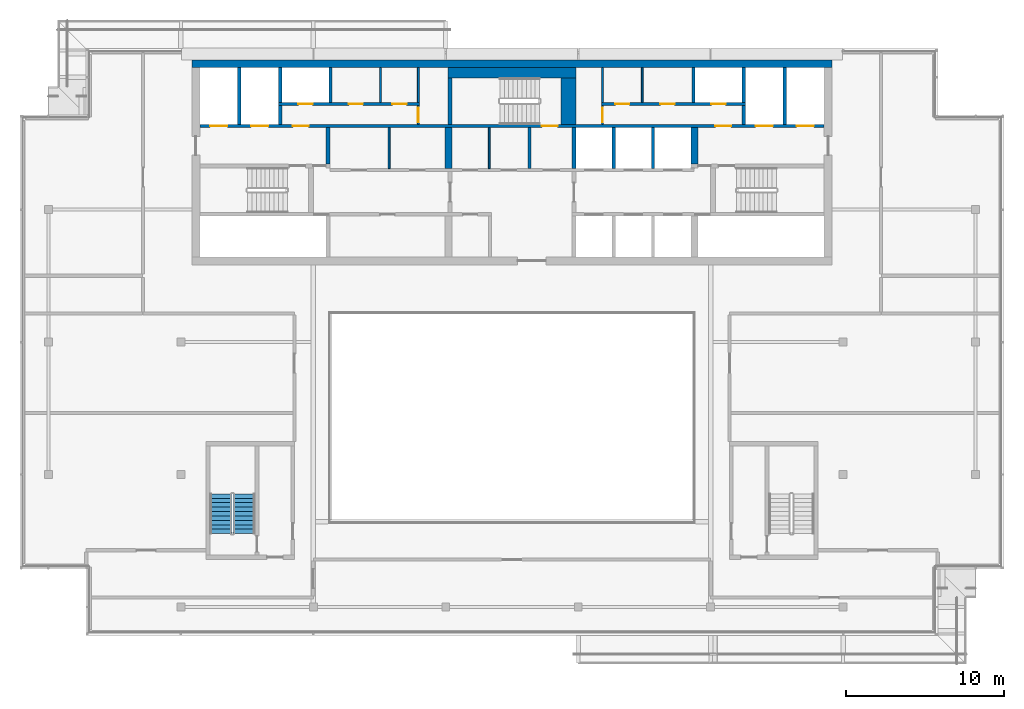
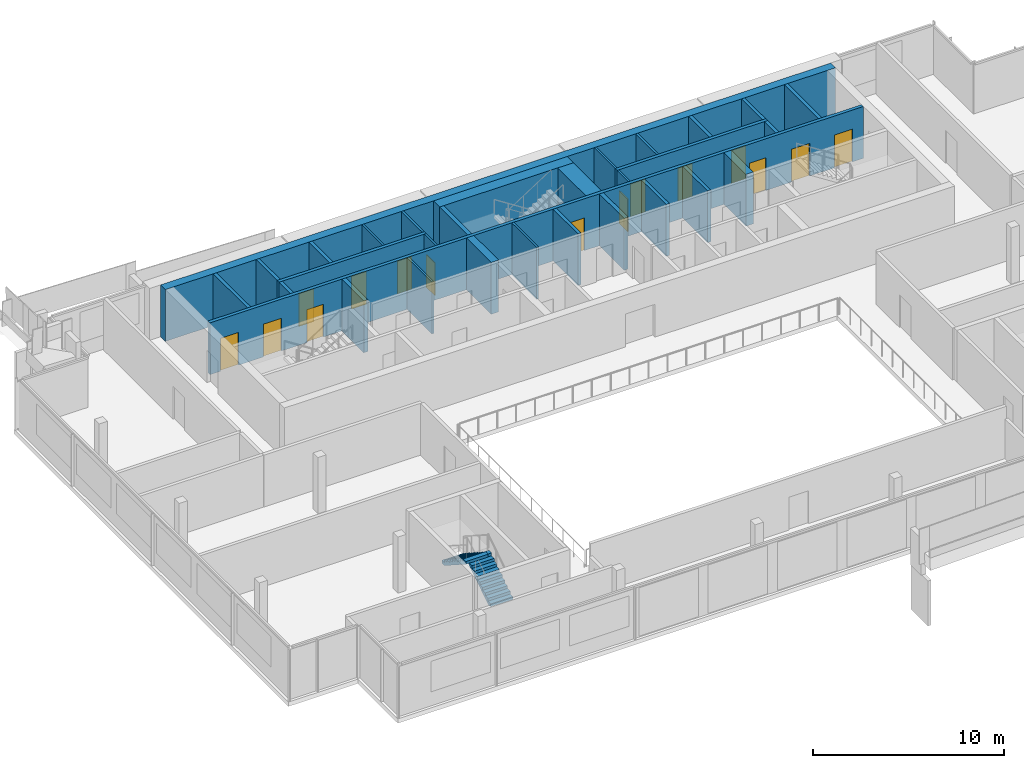
# One storey, part 15 of 21: 30 walls, 15 doors, 2 stair flights, 15 openings, 1 element without a shape of its own.
"""IFC4 building model written with IfcOpenShell, lengths in metres."""

import ifcopenshell
import ifcopenshell.guid

model = None  # the IFC model being written
_history = None  # IfcOwnerHistory: only IFC2X3 demands one
_inside = {}  # id of a spatial element -> (the spatial element, [elements in it])
_under = {}  # id of a project, library or spatial element -> (it, [spatial elements below it])
_declared = {}  # id of a project -> (the project, [libraries it declares])
_typed = {}  # id of a type object -> (the type object, [elements of that type])
_made_of = {}  # id of a material, layer set ... -> (it, [elements and type objects made of it])


def new_model(schema):
    """Start an empty IFC model of exactly this schema.

    Asked for "IFC4X3", IfcOpenShell would pick the latest addendum, in which some entities
    have other attributes; the version numbers below select the first issue.
    IFC2X3 requires an IfcOwnerHistory on every rooted entity: one is made here for all.
    """
    global model, _history
    if schema == "IFC4X3":
        model = ifcopenshell.file(schema_version=(4, 3, 0, 0))
    else:
        model = ifcopenshell.file(schema=schema)
    _inside.clear()
    _under.clear()
    _declared.clear()
    _typed.clear()
    _made_of.clear()
    _history = None
    if model.schema == "IFC2X3":
        org = make("IfcOrganization", Name="unknown")
        user = make(
            "IfcPersonAndOrganization",
            ThePerson=make("IfcPerson", FamilyName="unknown"),
            TheOrganization=org,
        )
        app = make(
            "IfcApplication",
            ApplicationDeveloper=org,
            Version="unknown",
            ApplicationFullName="unknown",
            ApplicationIdentifier="unknown",
        )
        _history = make(
            "IfcOwnerHistory",
            OwningUser=user,
            OwningApplication=app,
            ChangeAction="ADDED",
            CreationDate=0,
        )
    return model


def make(cls, **values):
    """One entity of the class cls with the attributes given. An attribute that is None is left unset."""
    return model.create_entity(
        cls, **{name: value for name, value in values.items() if value is not None}
    )


def rooted(cls, **values):
    """An entity with a GlobalId (a new one), such as an element, a storey or a relation."""
    return make(cls, GlobalId=ifcopenshell.guid.new(), OwnerHistory=_history, **values)


def si_unit(unit_type, name, prefix=None):
    """IfcSIUnit, for example si_unit("LENGTHUNIT", "METRE", prefix="MILLI")."""
    return make("IfcSIUnit", UnitType=unit_type, Prefix=prefix, Name=name)


def assignment(units):
    """IfcUnitAssignment: the units of a project."""
    return None if units is None else make("IfcUnitAssignment", Units=units)


def point(xyz):
    """IfcCartesianPoint."""
    return None if xyz is None else make("IfcCartesianPoint", Coordinates=xyz)


def direction(xyz):
    """IfcDirection."""
    return None if xyz is None else make("IfcDirection", DirectionRatios=xyz)


def frame(location, z_axis=None, x_axis=None):
    """IfcAxis2Placement3D, a coordinate frame: its origin and axes. An axis left out is left unset."""
    return make(
        "IfcAxis2Placement3D",
        Location=point(location),
        Axis=direction(z_axis),
        RefDirection=direction(x_axis),
    )


def frame_2d(location, x_axis=None):
    """IfcAxis2Placement2D, a coordinate frame in the plane: its origin and x axis."""
    return make(
        "IfcAxis2Placement2D", Location=point(location), RefDirection=direction(x_axis)
    )


def origin():
    """The frame at (0, 0, 0) with its axes left unset."""
    return frame((0.0, 0.0, 0.0))


def place(relative_to, where):
    """IfcLocalPlacement: puts the frame where relative to a parent placement (None: the world)."""
    return make(
        "IfcLocalPlacement", PlacementRelTo=relative_to, RelativePlacement=where
    )


def context(
    kind, dimensions, precision=None, world=None, true_north=None, identifier=None
):
    """IfcGeometricRepresentationContext, for example the 3D "Model" context."""
    return make(
        "IfcGeometricRepresentationContext",
        ContextIdentifier=identifier,
        ContextType=kind,
        CoordinateSpaceDimension=dimensions,
        Precision=precision,
        WorldCoordinateSystem=world,
        TrueNorth=true_north,
    )


def subcontext(parent, identifier, kind, view, scale=None):
    """IfcGeometricRepresentationSubContext, for example "Body" below "Model"."""
    return make(
        "IfcGeometricRepresentationSubContext",
        ContextIdentifier=identifier,
        ContextType=kind,
        ParentContext=parent,
        TargetScale=scale,
        TargetView=view,
    )


def project(units=None, contexts=None):
    """IfcProject with its units and contexts."""
    return rooted(
        "IfcProject",
        Name="project",
        RepresentationContexts=contexts,
        UnitsInContext=assignment(units),
    )


def spatial(cls, under=None, at=None, **own):
    """A site, building, storey or space (cls), placed at a placement, below another one or the project."""
    s = rooted(cls, ObjectPlacement=at, **own)
    if under is not None:
        _under.setdefault(under.id(), (under, []))[1].append(s)
    return s


def polyline(points):
    """IfcPolyline through the points."""
    return make("IfcPolyline", Points=[point(p) for p in points])


def profile(cls, at=None, kind="AREA", **sizes):
    """A parametric profile (cls). Its sizes go by their IFC names, for example OverallWidth=200.0."""
    return make(cls, ProfileType=kind, Position=at, **sizes)


def rectangle(**sizes):
    """IfcRectangleProfileDef."""
    return profile("IfcRectangleProfileDef", **sizes)


def outline(outer, holes=None, kind="AREA"):
    """IfcArbitraryClosedProfileDef: a profile drawn as a closed curve; with holes, ...WithVoids."""
    if holes is None:
        return make("IfcArbitraryClosedProfileDef", ProfileType=kind, OuterCurve=outer)
    return make(
        "IfcArbitraryProfileDefWithVoids",
        ProfileType=kind,
        OuterCurve=outer,
        InnerCurves=holes,
    )


def extrude(swept, where, along, depth):
    """IfcExtrudedAreaSolid: the profile swept, set in the frame where, extruded along a direction by depth."""
    return make(
        "IfcExtrudedAreaSolid",
        SweptArea=swept,
        Position=where,
        ExtrudedDirection=direction(along),
        Depth=depth,
    )


def shape(context_of_items, identifier, shape_type, items):
    """IfcShapeRepresentation: the items that make up one representation, for example the "Body"."""
    return make(
        "IfcShapeRepresentation",
        ContextOfItems=context_of_items,
        RepresentationIdentifier=identifier,
        RepresentationType=shape_type,
        Items=items,
    )


def material(Name=None, Category=None):
    """IfcMaterial."""
    return make("IfcMaterial", Name=Name, Category=Category)


def layer(
    of_material, thickness, ventilated=None, Name=None, Category=None, Priority=None
):
    """IfcMaterialLayer: one layer of a wall or slab, of a material (None: an air gap)."""
    return make(
        "IfcMaterialLayer",
        Material=of_material,
        LayerThickness=thickness,
        IsVentilated=ventilated,
        Name=Name,
        Category=Category,
        Priority=Priority,
    )


def layer_set(layers, Name=None):
    """IfcMaterialLayerSet."""
    return make("IfcMaterialLayerSet", MaterialLayers=layers, LayerSetName=Name)


def made_of(thing, what):
    """Note that an element or type object is made of a material, layer set ...; save() writes the relation."""
    if what is not None:
        _made_of.setdefault(what.id(), (what, []))[1].append(thing)
    return thing


def type_object(cls, material=None, **own):
    """A type object (cls), such as IfcWallType, which elements share."""
    return made_of(rooted(cls, **own), material)


def element(
    cls,
    number,
    at=None,
    inside=None,
    cuts=None,
    type_object=None,
    material=None,
    context=None,
    identifier="Body",
    shape_type=None,
    held_by="IfcProductDefinitionShape",
    body=None,
    shapes=None,
    **own,
):
    """One element of the class cls, such as IfcWall. Its Tag is "e" and its number.

    at: its placement. inside: the storey or other place that contains it. cuts: it is an
    opening in that element (IfcRelVoidsElement). A single representation is given by context,
    identifier, shape_type and body (its items); several are given by shapes. held_by: the class
    of the entity that holds the representations. save() writes the other relations.
    """
    e = rooted(cls, Tag="e%d" % number, ObjectPlacement=at, **own)
    if body is not None:
        shapes = [shape(context, identifier, shape_type, body)]
    if shapes is not None:
        e.Representation = make(held_by, Representations=shapes)
    if inside is not None:
        _inside.setdefault(inside.id(), (inside, []))[1].append(e)
    if cuts is not None:
        rooted(
            "IfcRelVoidsElement", RelatingBuildingElement=cuts, RelatedOpeningElement=e
        )
    if type_object is not None:
        _typed.setdefault(type_object.id(), (type_object, []))[1].append(e)
    return made_of(e, material)


def fill(opening, filler):
    """IfcRelFillsElement: the door or window that sits in an opening."""
    return rooted(
        "IfcRelFillsElement",
        RelatingOpeningElement=opening,
        RelatedBuildingElement=filler,
    )


def aggregate(whole, parts):
    """IfcRelAggregates: a whole, such as a stair, and the parts it consists of."""
    return rooted("IfcRelAggregates", RelatingObject=whole, RelatedObjects=parts)


def save(model, path):
    """Write the relations noted so far, then the file.

    IfcRelAggregates (storeys below a building ...), IfcRelContainedInSpatialStructure (elements
    in a storey), IfcRelDefinesByType, IfcRelAssociatesMaterial and IfcRelDeclares: one each for
    every whole, place, type object, material and project.
    """
    for whole, parts in _under.values():
        aggregate(whole, parts)
    for where, things in _inside.values():
        rooted(
            "IfcRelContainedInSpatialStructure",
            RelatedElements=things,
            RelatingStructure=where,
        )
    for kind, things in _typed.values():
        rooted("IfcRelDefinesByType", RelatedObjects=things, RelatingType=kind)
    for what, things in _made_of.values():
        rooted("IfcRelAssociatesMaterial", RelatedObjects=things, RelatingMaterial=what)
    for by, libraries in _declared.values():
        rooted("IfcRelDeclares", RelatingContext=by, RelatedDefinitions=libraries)
    model.write(path)


model = new_model("IFC4")

# Units and contexts
model_context = context("Model", 3, precision=1e-05, world=origin(), true_north=direction((0.0, 1.0)))
body_context = subcontext(model_context, "Body", "Model", "MODEL_VIEW")
ifc_project = project(units=[si_unit("LENGTHUNIT", "METRE"), si_unit("AREAUNIT", "SQUARE_METRE"), si_unit("VOLUMEUNIT", "CUBIC_METRE"), si_unit("PLANEANGLEUNIT", "RADIAN"), si_unit("MASSUNIT", "GRAM", prefix="KILO")], contexts=[model_context])

# Site, building, storey
site_placement = place(None, origin())
site = spatial("IfcSite", under=ifc_project, at=site_placement, CompositionType="ELEMENT")
building_placement = place(site_placement, origin())
building = spatial("IfcBuilding", under=site, at=building_placement, Name="Saffron Gate Tower", CompositionType="ELEMENT")
storey_placement = place(building_placement, frame((0.0, 0.0, 299.550048828125)))
storey = spatial("IfcBuildingStorey", under=building, at=storey_placement, Name="L73", CompositionType="ELEMENT", Elevation=299.550048828125)

# Walls
ifc_material_1 = material(Name="Gypsum board partition on steel studs", Category="steel")
ifc_layer_1 = layer(ifc_material_1, 0.199951171875)
ifc_layer_set_1 = layer_set([ifc_layer_1], Name="CW10 Core partition 200")
wall_type_1 = type_object("IfcWallType", Name="CW10 Core partition 200", PredefinedType="PARTITIONING", material=ifc_layer_set_1)
wall_1_placement = place(storey_placement, frame((88.699951171875, 68.0, 0.0), z_axis=(0.0, 0.0, 1.0), x_axis=(0.0, 1.0, 0.0)))
element("IfcWall", 1, at=wall_1_placement, inside=storey, type_object=wall_type_1, Name="Wall CW10-L73-22", PredefinedType="PARTITIONING", context=body_context, shape_type="SweptSolid", body=[
    extrude(rectangle(XDim=2.60009765625, YDim=0.199951171875, at=frame_2d((1.300048828125, 0.0))), origin(), (0.0, 0.0, 1.0), 3.320068359375),
])
ifc_material_2 = material(Name="Concrete C50", Category="concrete")
ifc_layer_2 = layer(ifc_material_2, 0.5)
ifc_layer_set_2 = layer_set([ifc_layer_2], Name="CW22 RC core wall 500 C50")
wall_type_2 = type_object("IfcWallType", Name="CW22 RC core wall 500 C50", PredefinedType="SOLIDWALL", material=ifc_layer_set_2)
wall_2_placement = place(storey_placement, frame((67.300048828125, 74.64990234375, 0.0), z_axis=(0.0, 0.0, 1.0), x_axis=(1.0, 0.0, 0.0)))
element("IfcWall", 2, at=wall_2_placement, inside=storey, type_object=wall_type_2, Name="Wall CW22-L73-2", PredefinedType="SOLIDWALL", context=body_context, shape_type="SweptSolid", body=[
    extrude(rectangle(XDim=40.599853515625, YDim=0.5, at=frame_2d((20.2998046875, 0.0))), origin(), (0.0, 0.0, 1.0), 3.320068359375),
])
ifc_layer_3 = layer(ifc_material_2, 0.25)
ifc_layer_set_3 = layer_set([ifc_layer_3], Name="CW23 RC core wall 250 C50")
wall_type_3 = type_object("IfcWallType", Name="CW23 RC core wall 250 C50", PredefinedType="SOLIDWALL", material=ifc_layer_set_3)
wall_3_placement = place(storey_placement, frame((91.52490234375, 68.0, 0.0), z_axis=(0.0, 0.0, 1.0), x_axis=(0.0, 1.0, 0.0)))
element("IfcWall", 3, at=wall_3_placement, inside=storey, type_object=wall_type_3, Name="Wall CW23-L73-23", PredefinedType="SOLIDWALL", context=body_context, shape_type="SweptSolid", body=[
    extrude(rectangle(XDim=2.60009765625, YDim=0.25, at=frame_2d((1.300048828125, 0.0))), origin(), (0.0, 0.0, 1.0), 3.320068359375),
])
wall_4_placement = place(storey_placement, frame((75.925048828125, 68.300048828125, 0.0), z_axis=(0.0, 0.0, 1.0), x_axis=(0.0, 1.0, 0.0)))
element("IfcWall", 4, at=wall_4_placement, inside=storey, type_object=wall_type_3, Name="Wall CW23-L73-29", PredefinedType="SOLIDWALL", context=body_context, shape_type="SweptSolid", body=[
    extrude(rectangle(XDim=2.300048828125, YDim=0.25, at=frame_2d((1.14990234375, 0.0))), origin(), (0.0, 0.0, 1.0), 3.320068359375),
])
wall_5_placement = place(storey_placement, frame((83.675048828125, 70.800048828125, 0.0), z_axis=(0.0, 0.0, 1.0), x_axis=(0.0, 1.0, 0.0)))
element("IfcWall", 5, at=wall_5_placement, inside=storey, type_object=wall_type_3, Name="Wall CW23-L73-35", PredefinedType="SOLIDWALL", context=body_context, shape_type="SweptSolid", body=[
    extrude(rectangle(XDim=2.949951171875, YDim=0.25, at=frame_2d((1.47509765625, 0.0))), origin(), (0.0, 0.0, 1.0), 3.320068359375),
])
ifc_layer_4 = layer(ifc_material_2, 0.449951171875)
ifc_layer_set_4 = layer_set([ifc_layer_4], Name="CW24 RC core wall 450 C50")
wall_type_4 = type_object("IfcWallType", Name="CW24 RC core wall 450 C50", PredefinedType="SOLIDWALL", material=ifc_layer_set_4)
wall_6_placement = place(storey_placement, frame((83.574951171875, 68.0, 0.0), z_axis=(0.0, 0.0, 1.0), x_axis=(0.0, 1.0, 0.0)))
element("IfcWall", 6, at=wall_6_placement, inside=storey, type_object=wall_type_4, Name="Wall CW24-L73-20", PredefinedType="SOLIDWALL", context=body_context, shape_type="SweptSolid", body=[
    extrude(rectangle(XDim=2.60009765625, YDim=0.449951171875, at=frame_2d((1.300048828125, 0.0))), origin(), (0.0, 0.0, 1.0), 3.320068359375),
])
wall_7_placement = place(storey_placement, frame((99.175048828125, 68.300048828125, 0.0), z_axis=(0.0, 0.0, 1.0), x_axis=(0.0, 1.0, 0.0)))
element("IfcWall", 7, at=wall_7_placement, inside=storey, type_object=wall_type_4, Name="Wall CW24-L73-30", PredefinedType="SOLIDWALL", context=body_context, shape_type="SweptSolid", body=[
    extrude(rectangle(XDim=2.300048828125, YDim=0.449951171875, at=frame_2d((1.14990234375, 0.0))), origin(), (0.0, 0.0, 1.0), 3.320068359375),
])
ifc_layer_5 = layer(ifc_material_2, 0.199951171875)
ifc_layer_set_5 = layer_set([ifc_layer_5], Name="CW25 RC core wall 200 C50")
wall_type_5 = type_object("IfcWallType", Name="CW25 RC core wall 200 C50", PredefinedType="SOLIDWALL", material=ifc_layer_set_5)
for number, where, z_axis, x_axis, name in (
    (8, (94.050048828125, 68.0, 0.0), (0.0, 0.0, 1.0), (0.0, 1.0, 0.0), "Wall CW25-L73-24"),
    (9, (96.550048828125, 68.0, 0.0), (0.0, 0.0, 1.0), (0.0, 1.0, 0.0), "Wall CW25-L73-25"),
):
    element("IfcWall", number, at=place(storey_placement, frame(where, z_axis=z_axis, x_axis=x_axis)), inside=storey, type_object=wall_type_5, Name=name, PredefinedType="SOLIDWALL", context=body_context, shape_type="SweptSolid", body=[
        extrude(rectangle(XDim=2.60009765625, YDim=0.199951171875, at=frame_2d((1.300048828125, 0.0))), origin(), (0.0, 0.0, 1.0), 3.320068359375),
    ])

# Wall, openings, doors
wall_8_placement = place(storey_placement, frame((67.800048828125, 70.699951171875, 0.0), z_axis=(0.0, 0.0, 1.0), x_axis=(1.0, 0.0, 0.0)))
wall_8 = element("IfcWall", 10, at=wall_8_placement, inside=storey, type_object=wall_type_5, Name="Wall CW25-L73-31", PredefinedType="SOLIDWALL", context=body_context, shape_type="SweptSolid", body=[
    extrude(rectangle(XDim=39.599853515625, YDim=0.199951171875, at=frame_2d((19.7998046875, 0.0))), origin(), (0.0, 0.0, 1.0), 3.320068359375),
])
opening_1_placement = place(wall_8_placement, frame((0.64990234375, 0.0, 0.0)))
opening_1 = element("IfcOpeningElement", 11, at=opening_1_placement, cuts=wall_8, Name="Opening LD-FF1", PredefinedType="OPENING", context=body_context, shape_type="SweptSolid", body=[
    extrude(rectangle(XDim=1.10009765625, YDim=2.10009765625, at=frame_2d((0.550048828125, 1.050048828125))), frame((0.0, 0.10986328125, 0.0), z_axis=(0.0, -1.0, 0.0), x_axis=(1.0, 0.0, 0.0)), (0.0, 0.0, 1.0), 0.219970703125),
])
opening_2_placement = place(wall_8_placement, frame((3.25, 0.0, 0.0)))
opening_2 = element("IfcOpeningElement", 12, at=opening_2_placement, cuts=wall_8, Name="Opening LD-SV1", PredefinedType="OPENING", context=body_context, shape_type="SweptSolid", body=[
    extrude(rectangle(XDim=1.10009765625, YDim=2.10009765625, at=frame_2d((0.550048828125, 1.050048828125))), frame((0.0, 0.10986328125, 0.0), z_axis=(0.0, -1.0, 0.0), x_axis=(1.0, 0.0, 0.0)), (0.0, 0.0, 1.0), 0.219970703125),
])
opening_3_placement = place(wall_8_placement, frame((5.89990234375, 0.0, 0.0)))
opening_3 = element("IfcOpeningElement", 13, at=opening_3_placement, cuts=wall_8, Name="Opening CR-03", PredefinedType="OPENING", context=body_context, shape_type="SweptSolid", body=[
    extrude(rectangle(XDim=1.0, YDim=2.10009765625, at=frame_2d((0.5, 1.050048828125))), frame((0.0, 0.10986328125, 0.0), z_axis=(0.0, -1.0, 0.0), x_axis=(1.0, 0.0, 0.0)), (0.0, 0.0, 1.0), 0.219970703125),
])
opening_4_placement = place(wall_8_placement, frame((21.699951171875, 0.0, 0.0)))
opening_4 = element("IfcOpeningElement", 14, at=opening_4_placement, cuts=wall_8, Name="Opening CR-17", PredefinedType="OPENING", context=body_context, shape_type="SweptSolid", body=[
    extrude(rectangle(XDim=1.0, YDim=2.10009765625, at=frame_2d((0.5, 1.050048828125))), frame((0.0, 0.10986328125, 0.0), z_axis=(0.0, -1.0, 0.0), x_axis=(1.0, 0.0, 0.0)), (0.0, 0.0, 1.0), 0.219970703125),
])
opening_5_placement = place(wall_8_placement, frame((32.699951171875, 0.0, 0.0)))
opening_5 = element("IfcOpeningElement", 15, at=opening_5_placement, cuts=wall_8, Name="Opening CR-04", PredefinedType="OPENING", context=body_context, shape_type="SweptSolid", body=[
    extrude(rectangle(XDim=1.0, YDim=2.10009765625, at=frame_2d((0.5, 1.050048828125))), frame((0.0, 0.10986328125, 0.0), z_axis=(0.0, -1.0, 0.0), x_axis=(1.0, 0.0, 0.0)), (0.0, 0.0, 1.0), 0.219970703125),
])
opening_6_placement = place(wall_8_placement, frame((35.25, 0.0, 0.0)))
opening_6 = element("IfcOpeningElement", 16, at=opening_6_placement, cuts=wall_8, Name="Opening LD-SV2", PredefinedType="OPENING", context=body_context, shape_type="SweptSolid", body=[
    extrude(rectangle(XDim=1.10009765625, YDim=2.10009765625, at=frame_2d((0.550048828125, 1.050048828125))), frame((0.0, 0.10986328125, 0.0), z_axis=(0.0, -1.0, 0.0), x_axis=(1.0, 0.0, 0.0)), (0.0, 0.0, 1.0), 0.219970703125),
])
opening_7_placement = place(wall_8_placement, frame((37.85009765625, 0.0, 0.0)))
opening_7 = element("IfcOpeningElement", 17, at=opening_7_placement, cuts=wall_8, Name="Opening LD-FF2", PredefinedType="OPENING", context=body_context, shape_type="SweptSolid", body=[
    extrude(rectangle(XDim=1.10009765625, YDim=2.10009765625, at=frame_2d((0.550048828125, 1.050048828125))), frame((0.0, 0.10986328125, 0.0), z_axis=(0.0, -1.0, 0.0), x_axis=(1.0, 0.0, 0.0)), (0.0, 0.0, 1.0), 0.219970703125),
])
ifc_material_3 = material(Name="Steel fire door set", Category="steel")
door_type_1 = type_object("IfcDoorType", Name="CD4 Lobby door 1000x2100 EI 120", OperationType="NOTDEFINED", PredefinedType="DOOR", material=ifc_material_3)
door_1_placement = place(opening_3_placement, origin())
door_1 = element("IfcDoor", 18, at=door_1_placement, inside=storey, type_object=door_type_1, Name="DOOR CR-03", OperationType="SINGLE_SWING_LEFT", OverallHeight=2.10009765625, OverallWidth=1.0, PredefinedType="DOOR", context=body_context, shape_type="SweptSolid", body=[
    extrude(rectangle(XDim=1.0, YDim=2.10009765625, at=frame_2d((0.5, 1.050048828125))), frame((0.0, 0.02490234375, 0.0), z_axis=(0.0, -1.0, 0.0), x_axis=(1.0, 0.0, 0.0)), (0.0, 0.0, 1.0), 0.050048828125),
])
fill(opening_3, door_1)
door_2_placement = place(opening_5_placement, origin())
door_2 = element("IfcDoor", 19, at=door_2_placement, inside=storey, type_object=door_type_1, Name="DOOR CR-04", OperationType="SINGLE_SWING_RIGHT", OverallHeight=2.10009765625, OverallWidth=1.0, PredefinedType="DOOR", context=body_context, shape_type="SweptSolid", body=[
    extrude(rectangle(XDim=1.0, YDim=2.10009765625, at=frame_2d((0.5, 1.050048828125))), frame((0.0, 0.02490234375, 0.0), z_axis=(0.0, -1.0, 0.0), x_axis=(1.0, 0.0, 0.0)), (0.0, 0.0, 1.0), 0.050048828125),
])
fill(opening_5, door_2)
door_type_2 = type_object("IfcDoorType", Name="CD5 Stair door 1000x2100 EI 120", OperationType="NOTDEFINED", PredefinedType="DOOR", material=ifc_material_3)
door_3_placement = place(opening_4_placement, origin())
door_3 = element("IfcDoor", 20, at=door_3_placement, inside=storey, type_object=door_type_2, Name="DOOR CR-17", OperationType="SINGLE_SWING_RIGHT", OverallHeight=2.10009765625, OverallWidth=1.0, PredefinedType="DOOR", context=body_context, shape_type="SweptSolid", body=[
    extrude(rectangle(XDim=1.0, YDim=2.10009765625, at=frame_2d((0.5, 1.050048828125))), frame((0.0, 0.02490234375, 0.0), z_axis=(0.0, -1.0, 0.0), x_axis=(1.0, 0.0, 0.0)), (0.0, 0.0, 1.0), 0.050048828125),
])
fill(opening_4, door_3)
ifc_material_4 = material(Name="Stainless steel landing door", Category="steel")
door_type_3 = type_object("IfcDoorType", Name="LD Lift landing door 1100x2100 EI 120", OperationType="SLIDING_TO_LEFT", PredefinedType="DOOR", material=ifc_material_4)
door_4_placement = place(opening_1_placement, origin())
door_4 = element("IfcDoor", 21, at=door_4_placement, inside=storey, type_object=door_type_3, Name="LANDING DOOR LD-FF1", OperationType="SLIDING_TO_RIGHT", OverallHeight=2.10009765625, OverallWidth=1.10009765625, PredefinedType="DOOR", context=body_context, shape_type="SweptSolid", body=[
    extrude(rectangle(XDim=1.10009765625, YDim=2.10009765625, at=frame_2d((0.550048828125, 1.050048828125))), frame((0.0, 0.02490234375, 0.0), z_axis=(0.0, -1.0, 0.0), x_axis=(1.0, 0.0, 0.0)), (0.0, 0.0, 1.0), 0.050048828125),
])
fill(opening_1, door_4)
door_5_placement = place(opening_2_placement, origin())
door_5 = element("IfcDoor", 22, at=door_5_placement, inside=storey, type_object=door_type_3, Name="LANDING DOOR LD-SV1", OperationType="SLIDING_TO_RIGHT", OverallHeight=2.10009765625, OverallWidth=1.10009765625, PredefinedType="DOOR", context=body_context, shape_type="SweptSolid", body=[
    extrude(rectangle(XDim=1.10009765625, YDim=2.10009765625, at=frame_2d((0.550048828125, 1.050048828125))), frame((0.0, 0.02490234375, 0.0), z_axis=(0.0, -1.0, 0.0), x_axis=(1.0, 0.0, 0.0)), (0.0, 0.0, 1.0), 0.050048828125),
])
fill(opening_2, door_5)
door_6_placement = place(opening_6_placement, origin())
door_6 = element("IfcDoor", 23, at=door_6_placement, inside=storey, type_object=door_type_3, Name="LANDING DOOR LD-SV2", OperationType="SLIDING_TO_RIGHT", OverallHeight=2.10009765625, OverallWidth=1.10009765625, PredefinedType="DOOR", context=body_context, shape_type="SweptSolid", body=[
    extrude(rectangle(XDim=1.10009765625, YDim=2.10009765625, at=frame_2d((0.550048828125, 1.050048828125))), frame((0.0, 0.02490234375, 0.0), z_axis=(0.0, -1.0, 0.0), x_axis=(1.0, 0.0, 0.0)), (0.0, 0.0, 1.0), 0.050048828125),
])
fill(opening_6, door_6)
door_7_placement = place(opening_7_placement, origin())
door_7 = element("IfcDoor", 24, at=door_7_placement, inside=storey, type_object=door_type_3, Name="LANDING DOOR LD-FF2", OperationType="SLIDING_TO_RIGHT", OverallHeight=2.10009765625, OverallWidth=1.10009765625, PredefinedType="DOOR", context=body_context, shape_type="SweptSolid", body=[
    extrude(rectangle(XDim=1.10009765625, YDim=2.10009765625, at=frame_2d((0.550048828125, 1.050048828125))), frame((0.0, 0.02490234375, 0.0), z_axis=(0.0, -1.0, 0.0), x_axis=(1.0, 0.0, 0.0)), (0.0, 0.0, 1.0), 0.050048828125),
])
fill(opening_7, door_7)

# Walls
wall_9_placement = place(storey_placement, frame((70.300048828125, 70.800048828125, 0.0), z_axis=(0.0, 0.0, 1.0), x_axis=(0.0, 1.0, 0.0)))
element("IfcWall", 25, at=wall_9_placement, inside=storey, type_object=wall_type_5, Name="Wall CW25-L73-32", PredefinedType="SOLIDWALL", context=body_context, shape_type="SweptSolid", body=[
    extrude(rectangle(XDim=3.599853515625, YDim=0.199951171875, at=frame_2d((1.7998046875, 0.0))), origin(), (0.0, 0.0, 1.0), 3.320068359375),
])
for number, where, z_axis, x_axis, name in (
    (26, (72.89990234375, 70.800048828125, 0.0), (0.0, 0.0, 1.0), (0.0, 1.0, 0.0), "Wall CW25-L73-33"),
    (27, (102.300048828125, 70.800048828125, 0.0), (0.0, 0.0, 1.0), (0.0, 1.0, 0.0), "Wall CW25-L73-38"),
):
    element("IfcWall", number, at=place(storey_placement, frame(where, z_axis=z_axis, x_axis=x_axis)), inside=storey, type_object=wall_type_5, Name=name, PredefinedType="SOLIDWALL", context=body_context, shape_type="SweptSolid", body=[
        extrude(rectangle(XDim=1.199951171875, YDim=0.199951171875, at=frame_2d((0.60009765625, 0.0))), origin(), (0.0, 0.0, 1.0), 3.320068359375),
    ])
wall_10_placement = place(storey_placement, frame((104.89990234375, 70.800048828125, 0.0), z_axis=(0.0, 0.0, 1.0), x_axis=(0.0, 1.0, 0.0)))
element("IfcWall", 28, at=wall_10_placement, inside=storey, type_object=wall_type_5, Name="Wall CW25-L73-39", PredefinedType="SOLIDWALL", context=body_context, shape_type="SweptSolid", body=[
    extrude(rectangle(XDim=3.599853515625, YDim=0.199951171875, at=frame_2d((1.7998046875, 0.0))), origin(), (0.0, 0.0, 1.0), 3.320068359375),
])

# Wall, openings, doors
wall_11_placement = place(storey_placement, frame((72.800048828125, 72.10009765625, 0.0), z_axis=(0.0, 0.0, 1.0), x_axis=(1.0, 0.0, 0.0)))
wall_11 = element("IfcWall", 29, at=wall_11_placement, inside=storey, type_object=wall_type_5, Name="Wall CW25-L73-40", PredefinedType="SOLIDWALL", context=body_context, shape_type="SweptSolid", body=[
    extrude(rectangle(XDim=8.919921875, YDim=0.199951171875, at=frame_2d((4.4599609375, 0.0))), origin(), (0.0, 0.0, 1.0), 3.320068359375),
])
opening_8_placement = place(wall_11_placement, frame((1.25, 0.0, 0.0)))
opening_8 = element("IfcOpeningElement", 30, at=opening_8_placement, cuts=wall_11, Name="Opening CR-71", PredefinedType="OPENING", context=body_context, shape_type="SweptSolid", body=[
    extrude(rectangle(XDim=0.89990234375, YDim=2.10009765625, at=frame_2d((0.449951171875, 1.050048828125))), frame((0.0, 0.10986328125, 0.0), z_axis=(0.0, -1.0, 0.0), x_axis=(1.0, 0.0, 0.0)), (0.0, 0.0, 1.0), 0.219970703125),
])
opening_9_placement = place(wall_11_placement, frame((4.449951171875, 0.0, 0.0)))
opening_9 = element("IfcOpeningElement", 31, at=opening_9_placement, cuts=wall_11, Name="Opening CR-55", PredefinedType="OPENING", context=body_context, shape_type="SweptSolid", body=[
    extrude(rectangle(XDim=0.89990234375, YDim=2.10009765625, at=frame_2d((0.449951171875, 1.050048828125))), frame((0.0, 0.10986328125, 0.0), z_axis=(0.0, -1.0, 0.0), x_axis=(1.0, 0.0, 0.0)), (0.0, 0.0, 1.0), 0.219970703125),
])
opening_10_placement = place(wall_11_placement, frame((7.2099609375, 0.0, 0.0)))
opening_10 = element("IfcOpeningElement", 32, at=opening_10_placement, cuts=wall_11, Name="Opening CR-58", PredefinedType="OPENING", context=body_context, shape_type="SweptSolid", body=[
    extrude(rectangle(XDim=0.89990234375, YDim=2.10009765625, at=frame_2d((0.449951171875, 1.050048828125))), frame((0.0, 0.10986328125, 0.0), z_axis=(0.0, -1.0, 0.0), x_axis=(1.0, 0.0, 0.0)), (0.0, 0.0, 1.0), 0.219970703125),
])
door_type_4 = type_object("IfcDoorType", Name="CD2 Riser door 900x2100 EI 60", OperationType="NOTDEFINED", PredefinedType="DOOR", material=ifc_material_3)
door_8_placement = place(opening_8_placement, origin())
door_8 = element("IfcDoor", 33, at=door_8_placement, inside=storey, type_object=door_type_4, Name="DOOR CR-71", OperationType="SINGLE_SWING_LEFT", OverallHeight=2.10009765625, OverallWidth=0.89990234375, PredefinedType="DOOR", context=body_context, shape_type="SweptSolid", body=[
    extrude(rectangle(XDim=0.89990234375, YDim=2.10009765625, at=frame_2d((0.449951171875, 1.050048828125))), frame((0.0, 0.02490234375, 0.0), z_axis=(0.0, -1.0, 0.0), x_axis=(1.0, 0.0, 0.0)), (0.0, 0.0, 1.0), 0.050048828125),
])
fill(opening_8, door_8)
door_type_5 = type_object("IfcDoorType", Name="CD9 Room door 900x2100 EI 60", OperationType="NOTDEFINED", PredefinedType="DOOR", material=ifc_material_3)
door_9_placement = place(opening_9_placement, origin())
door_9 = element("IfcDoor", 34, at=door_9_placement, inside=storey, type_object=door_type_5, Name="DOOR CR-55", OperationType="SINGLE_SWING_LEFT", OverallHeight=2.10009765625, OverallWidth=0.89990234375, PredefinedType="DOOR", context=body_context, shape_type="SweptSolid", body=[
    extrude(rectangle(XDim=0.89990234375, YDim=2.10009765625, at=frame_2d((0.449951171875, 1.050048828125))), frame((0.0, 0.02490234375, 0.0), z_axis=(0.0, -1.0, 0.0), x_axis=(1.0, 0.0, 0.0)), (0.0, 0.0, 1.0), 0.050048828125),
])
fill(opening_9, door_9)
door_10_placement = place(opening_10_placement, origin())
door_10 = element("IfcDoor", 35, at=door_10_placement, inside=storey, type_object=door_type_5, Name="DOOR CR-58", OperationType="SINGLE_SWING_LEFT", OverallHeight=2.10009765625, OverallWidth=0.89990234375, PredefinedType="DOOR", context=body_context, shape_type="SweptSolid", body=[
    extrude(rectangle(XDim=0.89990234375, YDim=2.10009765625, at=frame_2d((0.449951171875, 1.050048828125))), frame((0.0, 0.02490234375, 0.0), z_axis=(0.0, -1.0, 0.0), x_axis=(1.0, 0.0, 0.0)), (0.0, 0.0, 1.0), 0.050048828125),
])
fill(opening_10, door_10)

wall_12_placement = place(storey_placement, frame((93.280029296875, 72.10009765625, 0.0), z_axis=(0.0, 0.0, 1.0), x_axis=(1.0, 0.0, 0.0)))
wall_12 = element("IfcWall", 36, at=wall_12_placement, inside=storey, type_object=wall_type_5, Name="Wall CW25-L73-41", PredefinedType="SOLIDWALL", context=body_context, shape_type="SweptSolid", body=[
    extrude(rectangle(XDim=9.119873046875, YDim=0.199951171875, at=frame_2d((4.56005859375, 0.0))), origin(), (0.0, 0.0, 1.0), 3.320068359375),
])
opening_11_placement = place(wall_12_placement, frame((0.8701171875, 0.0, 0.0)))
opening_11 = element("IfcOpeningElement", 37, at=opening_11_placement, cuts=wall_12, Name="Opening CR-50", PredefinedType="OPENING", context=body_context, shape_type="SweptSolid", body=[
    extrude(rectangle(XDim=0.89990234375, YDim=2.10009765625, at=frame_2d((0.449951171875, 1.050048828125))), frame((0.0, 0.10986328125, 0.0), z_axis=(0.0, -1.0, 0.0), x_axis=(1.0, 0.0, 0.0)), (0.0, 0.0, 1.0), 0.219970703125),
])
opening_12_placement = place(wall_12_placement, frame((3.72998046875, 0.0, 0.0)))
opening_12 = element("IfcOpeningElement", 38, at=opening_12_placement, cuts=wall_12, Name="Opening CR-53", PredefinedType="OPENING", context=body_context, shape_type="SweptSolid", body=[
    extrude(rectangle(XDim=0.89990234375, YDim=2.10009765625, at=frame_2d((0.449951171875, 1.050048828125))), frame((0.0, 0.10986328125, 0.0), z_axis=(0.0, -1.0, 0.0), x_axis=(1.0, 0.0, 0.0)), (0.0, 0.0, 1.0), 0.219970703125),
])
opening_13_placement = place(wall_12_placement, frame((6.969970703125, 0.0, 0.0)))
opening_13 = element("IfcOpeningElement", 39, at=opening_13_placement, cuts=wall_12, Name="Opening CR-70", PredefinedType="OPENING", context=body_context, shape_type="SweptSolid", body=[
    extrude(rectangle(XDim=0.89990234375, YDim=2.10009765625, at=frame_2d((0.449951171875, 1.050048828125))), frame((0.0, 0.10986328125, 0.0), z_axis=(0.0, -1.0, 0.0), x_axis=(1.0, 0.0, 0.0)), (0.0, 0.0, 1.0), 0.219970703125),
])
door_11_placement = place(opening_13_placement, origin())
door_11 = element("IfcDoor", 40, at=door_11_placement, inside=storey, type_object=door_type_4, Name="DOOR CR-70", OperationType="SINGLE_SWING_LEFT", OverallHeight=2.10009765625, OverallWidth=0.89990234375, PredefinedType="DOOR", context=body_context, shape_type="SweptSolid", body=[
    extrude(rectangle(XDim=0.89990234375, YDim=2.10009765625, at=frame_2d((0.449951171875, 1.050048828125))), frame((0.0, 0.02490234375, 0.0), z_axis=(0.0, -1.0, 0.0), x_axis=(1.0, 0.0, 0.0)), (0.0, 0.0, 1.0), 0.050048828125),
])
fill(opening_13, door_11)
door_12_placement = place(opening_11_placement, origin())
door_12 = element("IfcDoor", 41, at=door_12_placement, inside=storey, type_object=door_type_5, Name="DOOR CR-50", OperationType="SINGLE_SWING_LEFT", OverallHeight=2.10009765625, OverallWidth=0.89990234375, PredefinedType="DOOR", context=body_context, shape_type="SweptSolid", body=[
    extrude(rectangle(XDim=0.89990234375, YDim=2.10009765625, at=frame_2d((0.449951171875, 1.050048828125))), frame((0.0, 0.02490234375, 0.0), z_axis=(0.0, -1.0, 0.0), x_axis=(1.0, 0.0, 0.0)), (0.0, 0.0, 1.0), 0.050048828125),
])
fill(opening_11, door_12)
door_13_placement = place(opening_12_placement, origin())
door_13 = element("IfcDoor", 42, at=door_13_placement, inside=storey, type_object=door_type_5, Name="DOOR CR-53", OperationType="SINGLE_SWING_LEFT", OverallHeight=2.10009765625, OverallWidth=0.89990234375, PredefinedType="DOOR", context=body_context, shape_type="SweptSolid", body=[
    extrude(rectangle(XDim=0.89990234375, YDim=2.10009765625, at=frame_2d((0.449951171875, 1.050048828125))), frame((0.0, 0.02490234375, 0.0), z_axis=(0.0, -1.0, 0.0), x_axis=(1.0, 0.0, 0.0)), (0.0, 0.0, 1.0), 0.050048828125),
])
fill(opening_12, door_13)

# Walls
for number, where, z_axis, x_axis, name in (
    (43, (72.89990234375, 72.199951171875, 0.0), (0.0, 0.0, 1.0), (0.0, 1.0, 0.0), "Wall CW25-L73-42"),
    (44, (76.10009765625, 72.199951171875, 0.0), (0.0, 0.0, 1.0), (0.0, 1.0, 0.0), "Wall CW25-L73-43"),
    (45, (99.10009765625, 72.199951171875, 0.0), (0.0, 0.0, 1.0), (0.0, 1.0, 0.0), "Wall CW25-L73-48"),
    (46, (102.300048828125, 72.199951171875, 0.0), (0.0, 0.0, 1.0), (0.0, 1.0, 0.0), "Wall CW25-L73-49"),
):
    element("IfcWall", number, at=place(storey_placement, frame(where, z_axis=z_axis, x_axis=x_axis)), inside=storey, type_object=wall_type_5, Name=name, PredefinedType="SOLIDWALL", context=body_context, shape_type="SweptSolid", body=[
        extrude(rectangle(XDim=2.199951171875, YDim=0.199951171875, at=frame_2d((1.10009765625, 0.0))), origin(), (0.0, 0.0, 1.0), 3.320068359375),
    ])
ifc_layer_6 = layer(ifc_material_2, 0.949951171875)
ifc_layer_set_6 = layer_set([ifc_layer_6], Name="CW28 RC core wall 950 C50")
wall_type_6 = type_object("IfcWallType", Name="CW28 RC core wall 950 C50", PredefinedType="SOLIDWALL", material=ifc_layer_set_6)
wall_13_placement = place(storey_placement, frame((91.175048828125, 70.800048828125, 0.0), z_axis=(0.0, 0.0, 1.0), x_axis=(0.0, 1.0, 0.0)))
element("IfcWall", 47, at=wall_13_placement, inside=storey, type_object=wall_type_6, Name="Wall CW28-L73-36", PredefinedType="SOLIDWALL", context=body_context, shape_type="SweptSolid", body=[
    extrude(rectangle(XDim=2.949951171875, YDim=0.949951171875, at=frame_2d((1.47509765625, 0.0))), origin(), (0.0, 0.0, 1.0), 3.320068359375),
])
ifc_layer_7 = layer(ifc_material_2, 0.64990234375)
ifc_layer_set_7 = layer_set([ifc_layer_7], Name="CW29 RC core wall 650 C50")
wall_type_7 = type_object("IfcWallType", Name="CW29 RC core wall 650 C50", PredefinedType="SOLIDWALL", material=ifc_layer_set_7)
wall_14_placement = place(storey_placement, frame((83.550048828125, 74.074951171875, 0.0), z_axis=(0.0, 0.0, 1.0), x_axis=(1.0, 0.0, 0.0)))
element("IfcWall", 48, at=wall_14_placement, inside=storey, type_object=wall_type_7, Name="Wall CW29-L73-50", PredefinedType="SOLIDWALL", context=body_context, shape_type="SweptSolid", body=[
    extrude(rectangle(XDim=8.099853515625, YDim=0.64990234375, at=frame_2d((4.0498046875, 0.0))), origin(), (0.0, 0.0, 1.0), 3.320068359375),
])
ifc_layer_8 = layer(ifc_material_1, 0.1201171875)
ifc_layer_set_8 = layer_set([ifc_layer_8], Name="CW8 Core partition 120")
wall_type_8 = type_object("IfcWallType", Name="CW8 Core partition 120", PredefinedType="PARTITIONING", material=ifc_layer_set_8)
for number, where, z_axis, x_axis, name in (
    (49, (79.81005859375, 68.0, 0.0), (0.0, 0.0, 1.0), (0.0, 1.0, 0.0), "Wall CW8-L73-19"),
    (50, (86.159912109375, 68.0, 0.0), (0.0, 0.0, 1.0), (0.0, 1.0, 0.0), "Wall CW8-L73-21"),
):
    element("IfcWall", number, at=place(storey_placement, frame(where, z_axis=z_axis, x_axis=x_axis)), inside=storey, type_object=wall_type_8, Name=name, PredefinedType="PARTITIONING", context=body_context, shape_type="SweptSolid", body=[
        extrude(rectangle(XDim=2.60009765625, YDim=0.1201171875, at=frame_2d((1.300048828125, 0.0))), origin(), (0.0, 0.0, 1.0), 3.320068359375),
    ])

# Wall, opening, door
wall_15_placement = place(storey_placement, frame((81.659912109375, 70.800048828125, 0.0), z_axis=(0.0, 0.0, 1.0), x_axis=(0.0, 1.0, 0.0)))
wall_15 = element("IfcWall", 51, at=wall_15_placement, inside=storey, type_object=wall_type_8, Name="Wall CW8-L73-34", PredefinedType="PARTITIONING", context=body_context, shape_type="SweptSolid", body=[
    extrude(rectangle(XDim=1.199951171875, YDim=0.1201171875, at=frame_2d((0.60009765625, 0.0))), origin(), (0.0, 0.0, 1.0), 3.320068359375),
])
opening_14_placement = place(wall_15_placement, frame((0.14990234375, 0.0, 0.0)))
opening_14 = element("IfcOpeningElement", 52, at=opening_14_placement, cuts=wall_15, Name="Opening CR-60", PredefinedType="OPENING", context=body_context, shape_type="SweptSolid", body=[
    extrude(rectangle(XDim=0.89990234375, YDim=2.10009765625, at=frame_2d((0.449951171875, 1.050048828125))), frame((0.0, 0.070068359375, 0.0), z_axis=(0.0, -1.0, 0.0), x_axis=(1.0, 0.0, 0.0)), (0.0, 0.0, 1.0), 0.14013671875),
])
door_14_placement = place(opening_14_placement, origin())
door_14 = element("IfcDoor", 53, at=door_14_placement, inside=storey, type_object=door_type_5, Name="DOOR CR-60", OperationType="SINGLE_SWING_RIGHT", OverallHeight=2.10009765625, OverallWidth=0.89990234375, PredefinedType="DOOR", context=body_context, shape_type="SweptSolid", body=[
    extrude(rectangle(XDim=0.89990234375, YDim=2.10009765625, at=frame_2d((0.449951171875, 1.050048828125))), frame((0.0, 0.02490234375, 0.0), z_axis=(0.0, -1.0, 0.0), x_axis=(1.0, 0.0, 0.0)), (0.0, 0.0, 1.0), 0.050048828125),
])
fill(opening_14, door_14)

wall_16_placement = place(storey_placement, frame((93.340087890625, 70.800048828125, 0.0), z_axis=(0.0, 0.0, 1.0), x_axis=(0.0, 1.0, 0.0)))
wall_16 = element("IfcWall", 54, at=wall_16_placement, inside=storey, type_object=wall_type_8, Name="Wall CW8-L73-37", PredefinedType="PARTITIONING", context=body_context, shape_type="SweptSolid", body=[
    extrude(rectangle(XDim=1.199951171875, YDim=0.1201171875, at=frame_2d((0.60009765625, 0.0))), origin(), (0.0, 0.0, 1.0), 3.320068359375),
])
opening_15_placement = place(wall_16_placement, frame((0.14990234375, 0.0, 0.0)))
opening_15 = element("IfcOpeningElement", 55, at=opening_15_placement, cuts=wall_16, Name="Opening CR-54", PredefinedType="OPENING", context=body_context, shape_type="SweptSolid", body=[
    extrude(rectangle(XDim=0.89990234375, YDim=2.10009765625, at=frame_2d((0.449951171875, 1.050048828125))), frame((0.0, 0.070068359375, 0.0), z_axis=(0.0, -1.0, 0.0), x_axis=(1.0, 0.0, 0.0)), (0.0, 0.0, 1.0), 0.14013671875),
])
door_15_placement = place(opening_15_placement, origin())
door_15 = element("IfcDoor", 56, at=door_15_placement, inside=storey, type_object=door_type_5, Name="DOOR CR-54", OperationType="SINGLE_SWING_LEFT", OverallHeight=2.10009765625, OverallWidth=0.89990234375, PredefinedType="DOOR", context=body_context, shape_type="SweptSolid", body=[
    extrude(rectangle(XDim=0.89990234375, YDim=2.10009765625, at=frame_2d((0.449951171875, 1.050048828125))), frame((0.0, 0.02490234375, 0.0), z_axis=(0.0, -1.0, 0.0), x_axis=(1.0, 0.0, 0.0)), (0.0, 0.0, 1.0), 0.050048828125),
])
fill(opening_15, door_15)

# Walls
for number, where, z_axis, x_axis, name in (
    (57, (79.260009765625, 72.199951171875, 0.0), (0.0, 0.0, 1.0), (0.0, 1.0, 0.0), "Wall CW8-L73-44"),
    (58, (81.659912109375, 72.199951171875, 0.0), (0.0, 0.0, 1.0), (0.0, 1.0, 0.0), "Wall CW8-L73-45"),
    (59, (93.340087890625, 72.199951171875, 0.0), (0.0, 0.0, 1.0), (0.0, 1.0, 0.0), "Wall CW8-L73-46"),
    (60, (95.860107421875, 72.199951171875, 0.0), (0.0, 0.0, 1.0), (0.0, 1.0, 0.0), "Wall CW8-L73-47"),
):
    element("IfcWall", number, at=place(storey_placement, frame(where, z_axis=z_axis, x_axis=x_axis)), inside=storey, type_object=wall_type_8, Name=name, PredefinedType="PARTITIONING", context=body_context, shape_type="SweptSolid", body=[
        extrude(rectangle(XDim=2.199951171875, YDim=0.1201171875, at=frame_2d((1.10009765625, 0.0))), origin(), (0.0, 0.0, 1.0), 3.320068359375),
    ])

# Stair, stair flights
ifc_material_5 = material(Name="Concrete C40", Category="concrete")
stair_type = type_object("IfcStairType", Name="ST7 Stair 1350 wide, 20 risers of 180", PredefinedType="HALF_TURN_STAIR", material=ifc_material_5)
stair_placement = place(storey_placement, origin())
stair = element("IfcStair", 61, at=stair_placement, inside=storey, type_object=stair_type, Name="L73 Exit stair D", PredefinedType="HALF_TURN_STAIR")
stair_flight_type = type_object("IfcStairFlightType", Name="SF3 Stair flight 1350 wide, riser 180 going 280", PredefinedType="STRAIGHT", material=ifc_material_5)
stair_flight_1_placement = place(storey_placement, frame((70.625, 44.85009765625, 0.0), z_axis=(0.0, 0.0, 1.0), x_axis=(0.0, 1.0, 0.0)))
stair_flight_1 = element("IfcStairFlight", 62, at=stair_flight_1_placement, type_object=stair_flight_type, Name="ST-D flight 1", NumberOfRisers=10, NumberOfTreads=9, PredefinedType="STRAIGHT", RiserHeight=0.18, TreadLength=0.28, context=body_context, shape_type="SweptSolid", body=[
    extrude(outline(polyline([(0.0, 0.0), (0.0, 0.179931640625), (0.280029296875, 0.179931640625), (0.280029296875, 0.360107421875), (0.56005859375, 0.360107421875), (0.56005859375, 0.5400390625), (0.840087890625, 0.5400390625), (0.840087890625, 0.719970703125), (1.1201171875, 0.719970703125), (1.1201171875, 0.89990234375), (1.39990234375, 0.89990234375), (1.39990234375, 1.080078125), (1.679931640625, 1.080078125), (1.679931640625, 1.260009765625), (1.9599609375, 1.260009765625), (1.9599609375, 1.43994140625), (2.239990234375, 1.43994140625), (2.239990234375, 1.6201171875), (2.52001953125, 1.6201171875), (2.52001953125, 1.800048828125), (2.52001953125, 1.44189453125), (0.277099609375, 0.0), (0.0, 0.0)])), frame((0.0, 0.675048828125, 0.0), z_axis=(0.0, -1.0, 0.0), x_axis=(1.0, 0.0, 0.0)), (0.0, 0.0, 1.0), 1.35009765625),
])
stair_flight_2_placement = place(storey_placement, frame((69.125, 47.3701171875, 1.800048828125), z_axis=(0.0, 0.0, 1.0), x_axis=(0.0, -1.0, 0.0)))
stair_flight_2 = element("IfcStairFlight", 63, at=stair_flight_2_placement, type_object=stair_flight_type, Name="ST-D flight 2", NumberOfRisers=10, NumberOfTreads=9, PredefinedType="STRAIGHT", RiserHeight=0.18, TreadLength=0.28, context=body_context, shape_type="SweptSolid", body=[
    extrude(outline(polyline([(0.0, 0.0), (0.0, 0.179931640625), (0.280029296875, 0.179931640625), (0.280029296875, 0.360107421875), (0.56005859375, 0.360107421875), (0.56005859375, 0.5400390625), (0.840087890625, 0.5400390625), (0.840087890625, 0.719970703125), (1.1201171875, 0.719970703125), (1.1201171875, 0.89990234375), (1.39990234375, 0.89990234375), (1.39990234375, 1.080078125), (1.679931640625, 1.080078125), (1.679931640625, 1.260009765625), (1.9599609375, 1.260009765625), (1.9599609375, 1.43994140625), (2.239990234375, 1.43994140625), (2.239990234375, 1.6201171875), (2.52001953125, 1.6201171875), (2.52001953125, 1.800048828125), (2.52001953125, 1.44189453125), (0.277099609375, 0.0), (0.0, 0.0)])), frame((0.0, 0.675048828125, 0.0), z_axis=(0.0, -1.0, 0.0), x_axis=(1.0, 0.0, 0.0)), (0.0, 0.0, 1.0), 1.35009765625),
])
aggregate(stair, [stair_flight_1, stair_flight_2])

save(model, "model.ifc")
